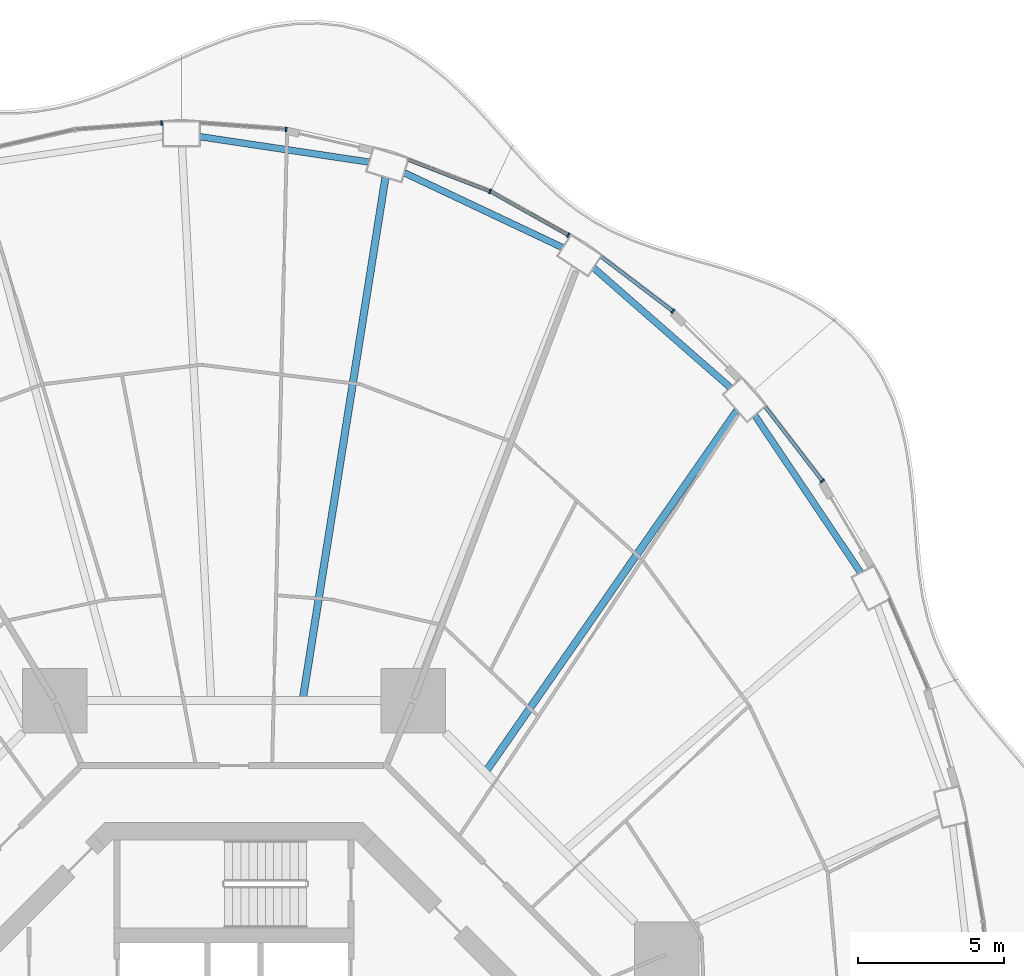
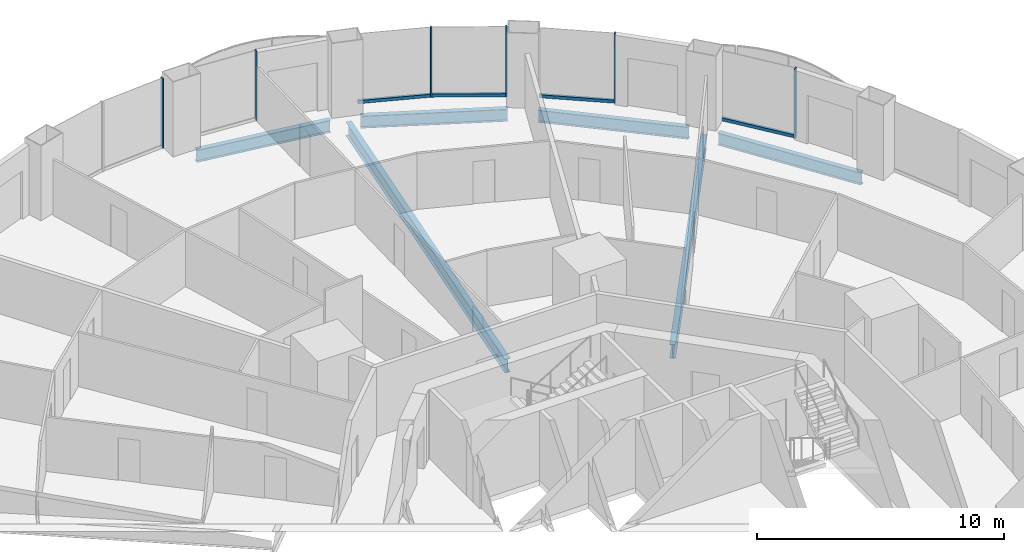
# One storey, part 11 of 22: 10 members, 6 beams, 6 elements without a shape of their own.
"""IFC4 building model written with IfcOpenShell, lengths in metres."""

from ifc_helpers import new_model, si_unit, direction, frame, origin, origin_2d, place, context, subcontext, project, spatial, rectangle, i_section, extrude, material, layer, layer_set, material_profile, profile_set, type_object, element, aggregate, save


model = new_model("IFC4")

# Units and contexts
model_context = context("Model", 3, precision=1e-05, world=origin(), true_north=direction((0.0, 1.0)))
body_context = subcontext(model_context, "Body", "Model", "MODEL_VIEW")
ifc_project = project(units=[si_unit("LENGTHUNIT", "METRE"), si_unit("AREAUNIT", "SQUARE_METRE"), si_unit("VOLUMEUNIT", "CUBIC_METRE"), si_unit("PLANEANGLEUNIT", "RADIAN"), si_unit("MASSUNIT", "GRAM", prefix="KILO")], contexts=[model_context])

# Site, building, storey
site_placement = place(None, origin())
site = spatial("IfcSite", under=ifc_project, at=site_placement, CompositionType="ELEMENT")
building_placement = place(site_placement, origin())
building = spatial("IfcBuilding", under=site, at=building_placement, Name="Nagisa Residences", CompositionType="ELEMENT")
storey_placement = place(building_placement, frame((0.0, 0.0, 95.5)))
storey = spatial("IfcBuildingStorey", under=building, at=storey_placement, Name="L23", CompositionType="ELEMENT", Elevation=95.5)

# Curtain wall, member
ifc_material_1 = material(Name="Concrete-coloured aluminium curtain wall system", Category="concrete")
ifc_layer = layer(ifc_material_1, 0.159912109375)
ifc_layer_set = layer_set([ifc_layer], Name="CW1 CURTAIN WALL")
curtain_wall_type = type_object("IfcCurtainWallType", Name="CW1 CURTAIN WALL", PredefinedType="NOTDEFINED", material=ifc_layer_set)
curtain_wall_1_placement = place(storey_placement, origin())
curtain_wall_1 = element("IfcCurtainWall", 1, at=curtain_wall_1_placement, inside=storey, type_object=curtain_wall_type, Name="cw:CW1:L23:05", PredefinedType="NOTDEFINED")
ifc_material_2 = material(Name="Concrete-coloured aluminium", Category="concrete")
ifc_material_profile_1 = material_profile(ifc_material_2, rectangle(XDim=0.159912109375, YDim=0.06005859375, at=origin_2d()), Name="CW1 MULLION 160x60")
ifc_profile_set_1 = profile_set([ifc_material_profile_1], Name="Concrete-coloured aluminium")
member_type_1 = type_object("IfcMemberType", Name="CW1 MULLION 160x60", PredefinedType="MULLION", material=ifc_profile_set_1)
member_1_placement = place(storey_placement, frame((20.09033203125, 22.27783203125, 0.0), z_axis=(0.0, 0.0, 1.0), x_axis=(-0.792070340816, -0.610429828235, 0.0)))
member_1 = element("IfcMember", 2, at=member_1_placement, type_object=member_type_1, Name="CW1 mullion", PredefinedType="MULLION", context=body_context, shape_type="SweptSolid", body=[
    extrude(rectangle(XDim=0.159912109375, YDim=0.06005859375, at=origin_2d()), origin(), (0.0, 0.0, 1.0), 3.43994140625),
])

curtain_wall_2_placement = place(storey_placement, origin())
curtain_wall_2 = element("IfcCurtainWall", 3, at=curtain_wall_2_placement, inside=storey, type_object=curtain_wall_type, Name="cw:CW1:L23:07", PredefinedType="NOTDEFINED")
member_2_placement = place(storey_placement, frame((14.9873046875, 28.07470703125, 0.0), z_axis=(0.0, 0.0, 1.0), x_axis=(-0.605255421737, -0.79603132756, 0.0)))
member_2 = element("IfcMember", 4, at=member_2_placement, type_object=member_type_1, Name="CW1 mullion", PredefinedType="MULLION", context=body_context, shape_type="SweptSolid", body=[
    extrude(rectangle(XDim=0.159912109375, YDim=0.06005859375, at=origin_2d()), origin(), (0.0, 0.0, 1.0), 3.43994140625),
])

curtain_wall_3_placement = place(storey_placement, origin())
curtain_wall_3 = element("IfcCurtainWall", 5, at=curtain_wall_3_placement, inside=storey, type_object=curtain_wall_type, Name="cw:CW1:L23:08", PredefinedType="NOTDEFINED")
member_3_placement = place(storey_placement, frame((11.415283203125, 30.673583984375, 0.0), z_axis=(0.0, 0.0, 1.0), x_axis=(-0.489376918501, -0.872072377523, 0.0)))
member_3 = element("IfcMember", 6, at=member_3_placement, type_object=member_type_1, Name="CW1 mullion", PredefinedType="MULLION", context=body_context, shape_type="SweptSolid", body=[
    extrude(rectangle(XDim=0.159912109375, YDim=0.06005859375, at=origin_2d()), origin(), (0.0, 0.0, 1.0), 3.43994140625),
])

curtain_wall_4_placement = place(storey_placement, origin())
curtain_wall_4 = element("IfcCurtainWall", 7, at=curtain_wall_4_placement, inside=storey, type_object=curtain_wall_type, Name="cw:CW1:L23:09", PredefinedType="NOTDEFINED")
member_4_placement = place(storey_placement, frame((8.74169921875, 32.169921875, 0.0), z_axis=(0.0, 0.0, 1.0), x_axis=(-0.360327770268, -0.932825759707, 0.0)))
member_4 = element("IfcMember", 8, at=member_4_placement, type_object=member_type_1, Name="CW1 mullion", PredefinedType="MULLION", context=body_context, shape_type="SweptSolid", body=[
    extrude(rectangle(XDim=0.159912109375, YDim=0.06005859375, at=origin_2d()), origin(), (0.0, 0.0, 1.0), 3.43994140625),
])

curtain_wall_5_placement = place(storey_placement, origin())
curtain_wall_5 = element("IfcCurtainWall", 9, at=curtain_wall_5_placement, inside=storey, type_object=curtain_wall_type, Name="cw:CW1:L23:11", PredefinedType="NOTDEFINED")
member_5_placement = place(storey_placement, frame((1.779052734375, 34.28564453125, 0.0), z_axis=(0.0, 0.0, 1.0), x_axis=(-0.074377355493, -0.997230168512, 0.0)))
member_5 = element("IfcMember", 10, at=member_5_placement, type_object=member_type_1, Name="CW1 mullion", PredefinedType="MULLION", context=body_context, shape_type="SweptSolid", body=[
    extrude(rectangle(XDim=0.159912109375, YDim=0.06005859375, at=origin_2d()), origin(), (0.0, 0.0, 1.0), 3.43994140625),
])
aggregate(curtain_wall_5, [member_5])

curtain_wall_6_placement = place(storey_placement, origin())
curtain_wall_6 = element("IfcCurtainWall", 11, at=curtain_wall_6_placement, inside=storey, type_object=curtain_wall_type, Name="cw:CW1:L23:12", PredefinedType="NOTDEFINED")
member_6_placement = place(storey_placement, frame((-2.47216796875, 34.50244140625, 0.0), z_axis=(0.0, 0.0, 1.0), x_axis=(0.074377355493, -0.997230168512, 0.0)))
member_6 = element("IfcMember", 12, at=member_6_placement, type_object=member_type_1, Name="CW1 mullion", PredefinedType="MULLION", context=body_context, shape_type="SweptSolid", body=[
    extrude(rectangle(XDim=0.159912109375, YDim=0.06005859375, at=origin_2d()), origin(), (0.0, 0.0, 1.0), 3.43994140625),
])
aggregate(curtain_wall_6, [member_6])

# Member
ifc_material_3 = material(Name="Concrete-coloured aluminium", Category="concrete")
ifc_material_profile_2 = material_profile(ifc_material_3, rectangle(XDim=0.1201171875, YDim=0.14990234375, at=origin_2d()), Name="CW1 TRANSOM 120x150")
ifc_profile_set_2 = profile_set([ifc_material_profile_2], Name="Concrete-coloured aluminium")
member_type_2 = type_object("IfcMemberType", Name="CW1 TRANSOM 120x150", PredefinedType="USERDEFINED", material=ifc_profile_set_2)
member_7_placement = place(storey_placement, frame((20.108642578125, 22.25390625, 0.074951171875), z_axis=(-0.610458970322, 0.792047880847, 0.0), x_axis=(-0.792047880847, -0.610458970322, 0.0)))
member_7 = element("IfcMember", 13, at=member_7_placement, type_object=member_type_2, Name="CW1 transom", ObjectType="TRANSOM", PredefinedType="USERDEFINED", context=body_context, shape_type="SweptSolid", body=[
    extrude(rectangle(XDim=0.1201171875, YDim=0.14990234375, at=origin_2d()), origin(), (0.0, 0.0, 1.0), 3.262939453125),
])

aggregate(curtain_wall_1, [member_1, member_7])

member_8_placement = place(storey_placement, frame((15.01123046875, 28.056640625, 0.074951171875), z_axis=(-0.796037575978, 0.605247203736, 0.0), x_axis=(-0.605247203736, -0.796037575978, 0.0)))
member_8 = element("IfcMember", 14, at=member_8_placement, type_object=member_type_2, Name="CW1 transom", ObjectType="TRANSOM", PredefinedType="USERDEFINED", context=body_context, shape_type="SweptSolid", body=[
    extrude(rectangle(XDim=0.1201171875, YDim=0.14990234375, at=origin_2d()), origin(), (0.0, 0.0, 1.0), 3.1337890625),
])

aggregate(curtain_wall_2, [member_2, member_8])

member_9_placement = place(storey_placement, frame((11.44140625, 30.65869140625, 0.074951171875), z_axis=(-0.872037280335, 0.489439456631, 0.0), x_axis=(-0.489439456631, -0.872037280335, 0.0)))
member_9 = element("IfcMember", 15, at=member_9_placement, type_object=member_type_2, Name="CW1 transom", ObjectType="TRANSOM", PredefinedType="USERDEFINED", context=body_context, shape_type="SweptSolid", body=[
    extrude(rectangle(XDim=0.1201171875, YDim=0.14990234375, at=origin_2d()), origin(), (0.0, 0.0, 1.0), 3.07568359375),
])

aggregate(curtain_wall_3, [member_3, member_9])

member_10_placement = place(storey_placement, frame((8.76953125, 32.1591796875, 0.074951171875), z_axis=(-0.932827091302, 0.360324322982, 0.0), x_axis=(-0.360324322982, -0.932827091302, 0.0)))
member_10 = element("IfcMember", 16, at=member_10_placement, type_object=member_type_2, Name="CW1 transom", ObjectType="TRANSOM", PredefinedType="USERDEFINED", context=body_context, shape_type="SweptSolid", body=[
    extrude(rectangle(XDim=0.1201171875, YDim=0.14990234375, at=origin_2d()), origin(), (0.0, 0.0, 1.0), 3.02734375),
])

aggregate(curtain_wall_4, [member_4, member_10])

# Beams
ifc_material_4 = material(Name="Steel ASTM A572 Gr 50", Category="steel")
ifc_material_profile_3 = material_profile(ifc_material_4, i_section(OverallWidth=0.22802734375, OverallDepth=0.60302734375, WebThickness=0.010498046875, FlangeThickness=0.014892578125, at=origin_2d()), Name="W610x101")
ifc_profile_set_3 = profile_set([ifc_material_profile_3], Name="Steel ASTM A572 Gr 50")
beam_type_1 = type_object("IfcBeamType", Name="Perimeter ring beam W610x101", PredefinedType="BEAM", material=ifc_profile_set_3)
beam_1_placement = place(storey_placement, frame((21.397216796875, 19.152099609375, -0.5615234375), z_axis=(-0.55824704812, 0.829674775599, 0.0), x_axis=(-0.829674775599, -0.55824704812, 0.0)))
element("IfcBeam", 17, at=beam_1_placement, inside=storey, type_object=beam_type_1, Name="beam:L23:pb03", PredefinedType="BEAM", context=body_context, shape_type="SweptSolid", body=[
    extrude(i_section(OverallWidth=0.22802734375, OverallDepth=0.60302734375, WebThickness=0.010498046875, FlangeThickness=0.014892578125, at=origin_2d()), origin(), (0.0, 0.0, 1.0), 6.4716796875),
])
beam_2_placement = place(storey_placement, frame((16.951416015625, 25.46728515625, -0.5615234375), z_axis=(-0.752525569707, 0.658563031863, 0.0), x_axis=(-0.658563031863, -0.752525569707, 0.0)))
element("IfcBeam", 18, at=beam_2_placement, inside=storey, type_object=beam_type_1, Name="beam:L23:pb04", PredefinedType="BEAM", context=body_context, shape_type="SweptSolid", body=[
    extrude(i_section(OverallWidth=0.22802734375, OverallDepth=0.60302734375, WebThickness=0.010498046875, FlangeThickness=0.014892578125, at=origin_2d()), origin(), (0.0, 0.0, 1.0), 6.21240234375),
])
beam_3_placement = place(storey_placement, frame((11.22216796875, 30.249267578125, -0.5615234375), z_axis=(-0.904196975776, 0.427115709144, 0.0), x_axis=(-0.427115709144, -0.904196975776, 0.0)))
element("IfcBeam", 19, at=beam_3_placement, inside=storey, type_object=beam_type_1, Name="beam:L23:pb05", PredefinedType="BEAM", context=body_context, shape_type="SweptSolid", body=[
    extrude(i_section(OverallWidth=0.22802734375, OverallDepth=0.60302734375, WebThickness=0.010498046875, FlangeThickness=0.014892578125, at=origin_2d()), origin(), (0.0, 0.0, 1.0), 5.980712890625),
])
beam_4_placement = place(storey_placement, frame((4.608642578125, 33.17041015625, -0.5615234375), z_axis=(-0.988913048607, 0.148495731568, 0.0), x_axis=(-0.148495731568, -0.988913048607, 0.0)))
element("IfcBeam", 20, at=beam_4_placement, inside=storey, type_object=beam_type_1, Name="beam:L23:pb06", PredefinedType="BEAM", context=body_context, shape_type="SweptSolid", body=[
    extrude(i_section(OverallWidth=0.22802734375, OverallDepth=0.60302734375, WebThickness=0.010498046875, FlangeThickness=0.014892578125, at=origin_2d()), origin(), (0.0, 0.0, 1.0), 5.843017578125),
])
ifc_material_5 = material(Name="Steel ASTM A572 Gr 50", Category="steel")
ifc_material_profile_4 = material_profile(ifc_material_5, i_section(OverallWidth=0.2529296875, OverallDepth=0.677978515625, WebThickness=0.01171875, FlangeThickness=0.016357421875, at=origin_2d()), Name="W690x125")
ifc_profile_set_4 = profile_set([ifc_material_profile_4], Name="Steel ASTM A572 Gr 50")
beam_type_2 = type_object("IfcBeamType", Name="Radial beam W690x125", PredefinedType="BEAM", material=ifc_profile_set_4)
beam_5_placement = place(storey_placement, frame((17.176513671875, 24.6845703125, -0.59912109375), z_axis=(-0.571167903467, -0.820833251062, 0.0), x_axis=(0.820833251062, -0.571167903467, 0.0)))
element("IfcBeam", 21, at=beam_5_placement, inside=storey, type_object=beam_type_2, Name="beam:L23:rb04", PredefinedType="BEAM", context=body_context, shape_type="SweptSolid", body=[
    extrude(i_section(OverallWidth=0.2529296875, OverallDepth=0.677978515625, WebThickness=0.01171875, FlangeThickness=0.016357421875, at=origin_2d()), origin(), (0.0, 0.0, 1.0), 14.93994140625),
])
beam_6_placement = place(storey_placement, frame((5.170654296875, 32.64697265625, -0.59912109375), z_axis=(-0.156426410961, -0.987689616202, 0.0), x_axis=(0.987689616202, -0.156426410961, 0.0)))
element("IfcBeam", 22, at=beam_6_placement, inside=storey, type_object=beam_type_2, Name="beam:L23:rb06", PredefinedType="BEAM", context=body_context, shape_type="SweptSolid", body=[
    extrude(i_section(OverallWidth=0.2529296875, OverallDepth=0.677978515625, WebThickness=0.01171875, FlangeThickness=0.016357421875, at=origin_2d()), origin(), (0.0, 0.0, 1.0), 17.973388671875),
])

save(model, "model.ifc")
